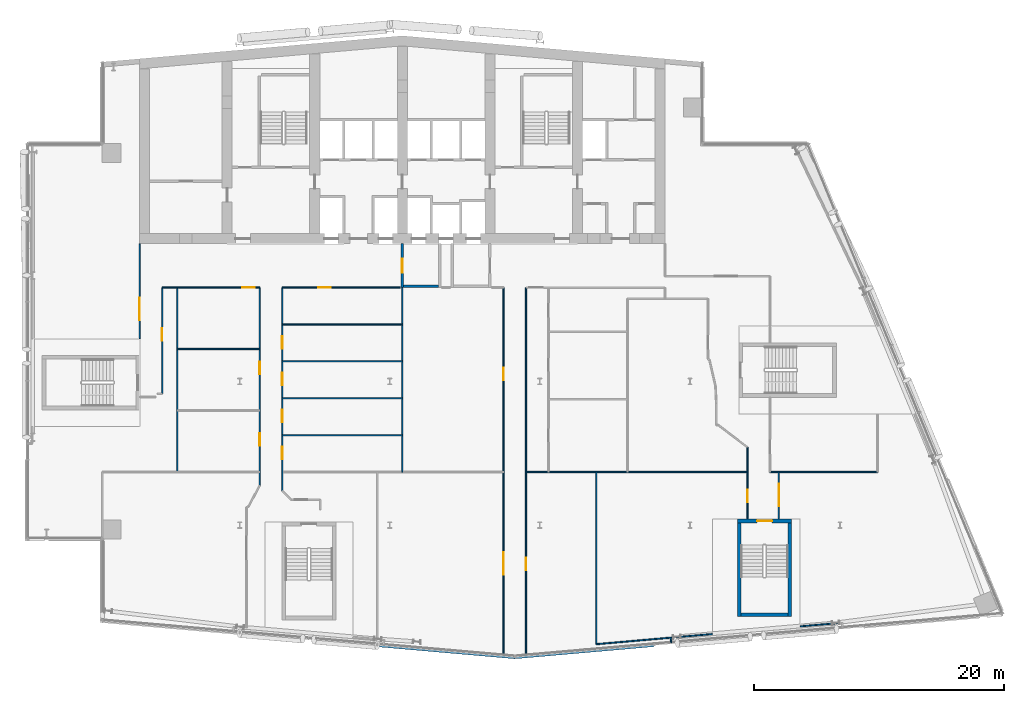
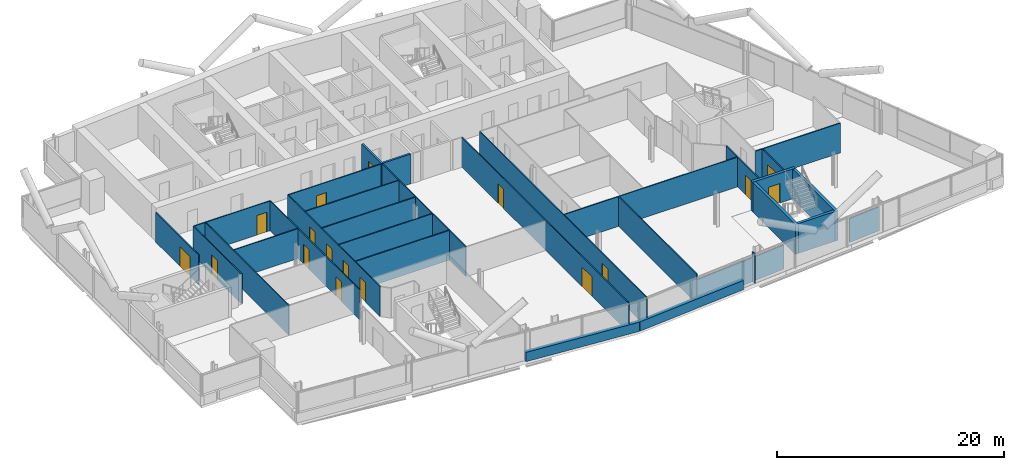
# One storey, part 15 of 26: 31 walls, 17 doors, 17 openings.
"""IFC4 building model written with IfcOpenShell, lengths in metres."""

from ifc_helpers import new_model, si_unit, direction, frame, frame_2d, origin, place, context, subcontext, project, spatial, rectangle, extrude, material, layer, layer_set, type_object, element, fill, save


model = new_model("IFC4")

# Units and contexts
model_context = context("Model", 3, precision=1e-05, world=origin(), true_north=direction((0.0, 1.0)))
body_context = subcontext(model_context, "Body", "Model", "MODEL_VIEW")
ifc_project = project(units=[si_unit("LENGTHUNIT", "METRE"), si_unit("AREAUNIT", "SQUARE_METRE"), si_unit("VOLUMEUNIT", "CUBIC_METRE"), si_unit("PLANEANGLEUNIT", "RADIAN"), si_unit("MASSUNIT", "GRAM", prefix="KILO")], contexts=[model_context])

# Site, building, storey
site_placement = place(None, origin())
site = spatial("IfcSite", under=ifc_project, at=site_placement, CompositionType="ELEMENT")
building_placement = place(site_placement, origin())
building = spatial("IfcBuilding", under=site, at=building_placement, Name="Wharfspan Tower", CompositionType="ELEMENT")
storey_placement = place(building_placement, frame((0.0, 0.0, 173.5)))
storey = spatial("IfcBuildingStorey", under=building, at=storey_placement, Name="L42", CompositionType="ELEMENT", Elevation=173.5)

# Wall, opening, door
ifc_material_1 = material(Name="Gypsum board on steel studs", Category="steel")
ifc_layer_1 = layer(ifc_material_1, 0.100098)
ifc_layer_set_1 = layer_set([ifc_layer_1], Name="Gypsum board on steel studs")
wall_type_1 = type_object("IfcWallType", Name="Compartment wall 100 EI 60", PredefinedType="PARTITIONING", material=ifc_layer_set_1)
wall_1_placement = place(storey_placement, frame((16.0, 26.419922, 0.0), z_axis=(0.0, 0.0, 1.0), x_axis=(0.0, 1.0, 0.0)))
wall_1 = element("IfcWall", 1, at=wall_1_placement, inside=storey, type_object=wall_type_1, Name="Partition L42.w006", PredefinedType="PARTITIONING", context=body_context, shape_type="SweptSolid", body=[
    extrude(rectangle(XDim=7.560059, YDim=0.100098, at=frame_2d((3.780029, 0.0))), origin(), (0.0, 0.0, 1.0), 3.199951),
])
opening_1_placement = place(wall_1_placement, frame((1.47998, 0.0, 0.0)))
opening_1 = element("IfcOpeningElement", 2, at=opening_1_placement, cuts=wall_1, Name="Opening C3-20", PredefinedType="OPENING", context=body_context, shape_type="SweptSolid", body=[
    extrude(rectangle(XDim=1.800049, YDim=2.100098, at=frame_2d((0.899902, 1.050049))), frame((0.0, 0.060059, 0.0), z_axis=(0.0, -1.0, 0.0), x_axis=(1.0, 0.0, 0.0)), (0.0, 0.0, 1.0), 0.120117),
])
ifc_material_2 = material(Name="Fire-rated timber door leaf in steel frame", Category="steel")
door_type_1 = type_object("IfcDoorType", Name="Door 1800 FD30S Double", OperationType="DOUBLE_DOOR_SINGLE_SWING", PredefinedType="DOOR", material=ifc_material_2)
door_1_placement = place(opening_1_placement, origin())
door_1 = element("IfcDoor", 3, at=door_1_placement, inside=storey, type_object=door_type_1, Name="Door C3-20", OperationType="DOUBLE_DOOR_SINGLE_SWING", OverallHeight=2.100098, OverallWidth=1.800049, PredefinedType="DOOR", context=body_context, shape_type="SweptSolid", body=[
    extrude(rectangle(XDim=1.800049, YDim=2.100098, at=frame_2d((0.899902, 1.050049))), frame((0.0, 0.024902, 0.0), z_axis=(0.0, -1.0, 0.0), x_axis=(1.0, 0.0, 0.0)), (0.0, 0.0, 1.0), 0.050049),
])
fill(opening_1, door_1)

wall_2_placement = place(storey_placement, frame((17.800049, 22.0, 0.0), z_axis=(0.0, 0.0, 1.0), x_axis=(0.0, 1.0, 0.0)))
wall_2 = element("IfcWall", 4, at=wall_2_placement, inside=storey, type_object=wall_type_1, Name="Partition L42.w009", PredefinedType="PARTITIONING", context=body_context, shape_type="SweptSolid", body=[
    extrude(rectangle(XDim=8.5, YDim=0.100098, at=frame_2d((4.25, 0.0))), origin(), (0.0, 0.0, 1.0), 3.199951),
])
opening_2_placement = place(wall_2_placement, frame((4.231201, 0.0, 0.0)))
opening_2 = element("IfcOpeningElement", 5, at=opening_2_placement, cuts=wall_2, Name="Opening C3-18", PredefinedType="OPENING", context=body_context, shape_type="SweptSolid", body=[
    extrude(rectangle(XDim=1.0, YDim=2.100098, at=frame_2d((0.5, 1.050049))), frame((0.0, 0.060059, 0.0), z_axis=(0.0, -1.0, 0.0), x_axis=(1.0, 0.0, 0.0)), (0.0, 0.0, 1.0), 0.120117),
])
door_type_2 = type_object("IfcDoorType", Name="Door 1000 FD30S Right", OperationType="SINGLE_SWING_RIGHT", PredefinedType="DOOR", material=ifc_material_2)
door_2_placement = place(opening_2_placement, origin())
door_2 = element("IfcDoor", 6, at=door_2_placement, inside=storey, type_object=door_type_2, Name="Door C3-18", OperationType="SINGLE_SWING_RIGHT", OverallHeight=2.100098, OverallWidth=1.0, PredefinedType="DOOR", context=body_context, shape_type="SweptSolid", body=[
    extrude(rectangle(XDim=1.0, YDim=2.100098, at=frame_2d((0.5, 1.050049))), frame((0.0, 0.024902, 0.0), z_axis=(0.0, -1.0, 0.0), x_axis=(1.0, 0.0, 0.0)), (0.0, 0.0, 1.0), 0.050049),
])
fill(opening_2, door_2)

wall_3_placement = place(storey_placement, frame((17.800049, 30.5, 0.0), z_axis=(0.0, 0.0, 1.0), x_axis=(1.0, 0.0, 0.0)))
wall_3 = element("IfcWall", 7, at=wall_3_placement, inside=storey, type_object=wall_type_1, Name="Partition L42.w010", PredefinedType="PARTITIONING", context=body_context, shape_type="SweptSolid", body=[
    extrude(rectangle(XDim=7.800049, YDim=0.100098, at=frame_2d((3.899902, 0.0))), origin(), (0.0, 0.0, 1.0), 3.199951),
])
opening_3_placement = place(wall_3_placement, frame((6.419922, 0.0, 0.0)))
opening_3 = element("IfcOpeningElement", 8, at=opening_3_placement, cuts=wall_3, Name="Opening C3-22", PredefinedType="OPENING", context=body_context, shape_type="SweptSolid", body=[
    extrude(rectangle(XDim=1.0, YDim=2.100098, at=frame_2d((0.5, 1.050049))), frame((0.0, 0.060059, 0.0), z_axis=(0.0, -1.0, 0.0), x_axis=(1.0, 0.0, 0.0)), (0.0, 0.0, 1.0), 0.120117),
])
door_3_placement = place(opening_3_placement, origin())
door_3 = element("IfcDoor", 9, at=door_3_placement, inside=storey, type_object=door_type_2, Name="Door C3-22", OperationType="SINGLE_SWING_RIGHT", OverallHeight=2.100098, OverallWidth=1.0, PredefinedType="DOOR", context=body_context, shape_type="SweptSolid", body=[
    extrude(rectangle(XDim=1.0, YDim=2.100098, at=frame_2d((0.5, 1.050049))), frame((0.0, 0.024902, 0.0), z_axis=(0.0, -1.0, 0.0), x_axis=(1.0, 0.0, 0.0)), (0.0, 0.0, 1.0), 0.050049),
])
fill(opening_3, door_3)

# Walls
wall_4_placement = place(storey_placement, frame((19.0, 15.745117, 0.0), z_axis=(0.0, 0.0, 1.0), x_axis=(0.0, 1.0, 0.0)))
element("IfcWall", 10, at=wall_4_placement, inside=storey, type_object=wall_type_1, Name="Partition L42.w011", PredefinedType="PARTITIONING", context=body_context, shape_type="SweptSolid", body=[
    extrude(rectangle(XDim=14.754883, YDim=0.100098, at=frame_2d((7.377441, 0.0))), origin(), (0.0, 0.0, 1.0), 3.199951),
])
wall_5_placement = place(storey_placement, frame((19.0, 25.580078, 0.0), z_axis=(0.0, 0.0, 1.0), x_axis=(1.0, 0.0, 0.0)))
element("IfcWall", 11, at=wall_5_placement, inside=storey, type_object=wall_type_1, Name="Partition L42.w013", PredefinedType="PARTITIONING", context=body_context, shape_type="SweptSolid", body=[
    extrude(rectangle(XDim=6.600098, YDim=0.100098, at=frame_2d((3.300049, 0.0))), origin(), (0.0, 0.0, 1.0), 3.199951),
])

# Wall, openings, doors
wall_6_placement = place(storey_placement, frame((25.600098, 14.669922, 0.0), z_axis=(0.0, 0.0, 1.0), x_axis=(0.0, 1.0, 0.0)))
wall_6 = element("IfcWall", 12, at=wall_6_placement, inside=storey, type_object=wall_type_1, Name="Partition L42.w018", PredefinedType="PARTITIONING", context=body_context, shape_type="SweptSolid", body=[
    extrude(rectangle(XDim=15.830078, YDim=0.100098, at=frame_2d((7.915039, 0.0))), origin(), (0.0, 0.0, 1.0), 3.199951),
])
opening_4_placement = place(wall_6_placement, frame((3.175049, 0.0, 0.0)))
opening_4 = element("IfcOpeningElement", 13, at=opening_4_placement, cuts=wall_6, Name="Opening C3-09", PredefinedType="OPENING", context=body_context, shape_type="SweptSolid", body=[
    extrude(rectangle(XDim=1.0, YDim=2.100098, at=frame_2d((0.5, 1.050049))), frame((0.0, 0.060059, 0.0), z_axis=(0.0, -1.0, 0.0), x_axis=(1.0, 0.0, 0.0)), (0.0, 0.0, 1.0), 0.120117),
])
opening_5_placement = place(wall_6_placement, frame((8.889893, 0.0, 0.0)))
opening_5 = element("IfcOpeningElement", 14, at=opening_5_placement, cuts=wall_6, Name="Opening C3-14", PredefinedType="OPENING", context=body_context, shape_type="SweptSolid", body=[
    extrude(rectangle(XDim=1.0, YDim=2.100098, at=frame_2d((0.5, 1.050049))), frame((0.0, 0.060059, 0.0), z_axis=(0.0, -1.0, 0.0), x_axis=(1.0, 0.0, 0.0)), (0.0, 0.0, 1.0), 0.120117),
])
door_type_3 = type_object("IfcDoorType", Name="Door 1000 FD30S Left", OperationType="SINGLE_SWING_LEFT", PredefinedType="DOOR", material=ifc_material_2)
door_4_placement = place(opening_4_placement, origin())
door_4 = element("IfcDoor", 15, at=door_4_placement, inside=storey, type_object=door_type_3, Name="Door C3-09", OperationType="SINGLE_SWING_LEFT", OverallHeight=2.100098, OverallWidth=1.0, PredefinedType="DOOR", context=body_context, shape_type="SweptSolid", body=[
    extrude(rectangle(XDim=1.0, YDim=2.100098, at=frame_2d((0.5, 1.050049))), frame((0.0, 0.024902, 0.0), z_axis=(0.0, -1.0, 0.0), x_axis=(1.0, 0.0, 0.0)), (0.0, 0.0, 1.0), 0.050049),
])
fill(opening_4, door_4)
door_5_placement = place(opening_5_placement, origin())
door_5 = element("IfcDoor", 16, at=door_5_placement, inside=storey, type_object=door_type_2, Name="Door C3-14", OperationType="SINGLE_SWING_RIGHT", OverallHeight=2.100098, OverallWidth=1.0, PredefinedType="DOOR", context=body_context, shape_type="SweptSolid", body=[
    extrude(rectangle(XDim=1.0, YDim=2.100098, at=frame_2d((0.5, 1.050049))), frame((0.0, 0.024902, 0.0), z_axis=(0.0, -1.0, 0.0), x_axis=(1.0, 0.0, 0.0)), (0.0, 0.0, 1.0), 0.050049),
])
fill(opening_5, door_5)

wall_7_placement = place(storey_placement, frame((27.399902, 14.23999, 0.0), z_axis=(0.0, 0.0, 1.0), x_axis=(0.0, 1.0, 0.0)))
wall_7 = element("IfcWall", 17, at=wall_7_placement, inside=storey, type_object=wall_type_1, Name="Partition L42.w019", PredefinedType="PARTITIONING", context=body_context, shape_type="SweptSolid", body=[
    extrude(rectangle(XDim=16.26001, YDim=0.100098, at=frame_2d((8.129883, 0.0))), origin(), (0.0, 0.0, 1.0), 3.199951),
])
opening_6_placement = place(wall_7_placement, frame((2.524902, 0.0, 0.0)))
opening_6 = element("IfcOpeningElement", 18, at=opening_6_placement, cuts=wall_7, Name="Opening C3-07", PredefinedType="OPENING", context=body_context, shape_type="SweptSolid", body=[
    extrude(rectangle(XDim=1.0, YDim=2.100098, at=frame_2d((0.5, 1.050049))), frame((0.0, 0.060059, 0.0), z_axis=(0.0, -1.0, 0.0), x_axis=(1.0, 0.0, 0.0)), (0.0, 0.0, 1.0), 0.120117),
])
opening_7_placement = place(wall_7_placement, frame((5.475098, 0.0, 0.0)))
opening_7 = element("IfcOpeningElement", 19, at=opening_7_placement, cuts=wall_7, Name="Opening C3-11", PredefinedType="OPENING", context=body_context, shape_type="SweptSolid", body=[
    extrude(rectangle(XDim=1.0, YDim=2.100098, at=frame_2d((0.5, 1.050049))), frame((0.0, 0.060059, 0.0), z_axis=(0.0, -1.0, 0.0), x_axis=(1.0, 0.0, 0.0)), (0.0, 0.0, 1.0), 0.120117),
])
opening_8_placement = place(wall_7_placement, frame((8.425049, 0.0, 0.0)))
opening_8 = element("IfcOpeningElement", 20, at=opening_8_placement, cuts=wall_7, Name="Opening C3-12", PredefinedType="OPENING", context=body_context, shape_type="SweptSolid", body=[
    extrude(rectangle(XDim=1.0, YDim=2.100098, at=frame_2d((0.5, 1.050049))), frame((0.0, 0.060059, 0.0), z_axis=(0.0, -1.0, 0.0), x_axis=(1.0, 0.0, 0.0)), (0.0, 0.0, 1.0), 0.120117),
])
opening_9_placement = place(wall_7_placement, frame((11.379883, 0.0, 0.0)))
opening_9 = element("IfcOpeningElement", 21, at=opening_9_placement, cuts=wall_7, Name="Opening C3-16", PredefinedType="OPENING", context=body_context, shape_type="SweptSolid", body=[
    extrude(rectangle(XDim=1.0, YDim=2.100098, at=frame_2d((0.5, 1.050049))), frame((0.0, 0.060059, 0.0), z_axis=(0.0, -1.0, 0.0), x_axis=(1.0, 0.0, 0.0)), (0.0, 0.0, 1.0), 0.120117),
])
door_6_placement = place(opening_6_placement, origin())
door_6 = element("IfcDoor", 22, at=door_6_placement, inside=storey, type_object=door_type_3, Name="Door C3-07", OperationType="SINGLE_SWING_LEFT", OverallHeight=2.100098, OverallWidth=1.0, PredefinedType="DOOR", context=body_context, shape_type="SweptSolid", body=[
    extrude(rectangle(XDim=1.0, YDim=2.100098, at=frame_2d((0.5, 1.050049))), frame((0.0, 0.024902, 0.0), z_axis=(0.0, -1.0, 0.0), x_axis=(1.0, 0.0, 0.0)), (0.0, 0.0, 1.0), 0.050049),
])
fill(opening_6, door_6)
door_7_placement = place(opening_7_placement, origin())
door_7 = element("IfcDoor", 23, at=door_7_placement, inside=storey, type_object=door_type_3, Name="Door C3-11", OperationType="SINGLE_SWING_LEFT", OverallHeight=2.100098, OverallWidth=1.0, PredefinedType="DOOR", context=body_context, shape_type="SweptSolid", body=[
    extrude(rectangle(XDim=1.0, YDim=2.100098, at=frame_2d((0.5, 1.050049))), frame((0.0, 0.024902, 0.0), z_axis=(0.0, -1.0, 0.0), x_axis=(1.0, 0.0, 0.0)), (0.0, 0.0, 1.0), 0.050049),
])
fill(opening_7, door_7)
door_8_placement = place(opening_8_placement, origin())
door_8 = element("IfcDoor", 24, at=door_8_placement, inside=storey, type_object=door_type_2, Name="Door C3-12", OperationType="SINGLE_SWING_RIGHT", OverallHeight=2.100098, OverallWidth=1.0, PredefinedType="DOOR", context=body_context, shape_type="SweptSolid", body=[
    extrude(rectangle(XDim=1.0, YDim=2.100098, at=frame_2d((0.5, 1.050049))), frame((0.0, 0.024902, 0.0), z_axis=(0.0, -1.0, 0.0), x_axis=(1.0, 0.0, 0.0)), (0.0, 0.0, 1.0), 0.050049),
])
fill(opening_8, door_8)
door_9_placement = place(opening_9_placement, origin())
door_9 = element("IfcDoor", 25, at=door_9_placement, inside=storey, type_object=door_type_2, Name="Door C3-16", OperationType="SINGLE_SWING_RIGHT", OverallHeight=2.100098, OverallWidth=1.0, PredefinedType="DOOR", context=body_context, shape_type="SweptSolid", body=[
    extrude(rectangle(XDim=1.0, YDim=2.100098, at=frame_2d((0.5, 1.050049))), frame((0.0, 0.024902, 0.0), z_axis=(0.0, -1.0, 0.0), x_axis=(1.0, 0.0, 0.0)), (0.0, 0.0, 1.0), 0.050049),
])
fill(opening_9, door_9)

# Walls
for number, where, z_axis, x_axis, name in (
    (26, (27.399902, 18.695068, 0.0), (0.0, 0.0, 1.0), (1.0, 0.0, 0.0), "Partition L42.w021"),
    (27, (27.399902, 21.64502, 0.0), (0.0, 0.0, 1.0), (1.0, 0.0, 0.0), "Partition L42.w022"),
    (28, (27.399902, 24.600098, 0.0), (0.0, 0.0, 1.0), (1.0, 0.0, 0.0), "Partition L42.w023"),
    (29, (27.399902, 27.550049, 0.0), (0.0, 0.0, 1.0), (1.0, 0.0, 0.0), "Partition L42.w024"),
):
    element("IfcWall", number, at=place(storey_placement, frame(where, z_axis=z_axis, x_axis=x_axis)), inside=storey, type_object=wall_type_1, Name=name, PredefinedType="PARTITIONING", context=body_context, shape_type="SweptSolid", body=[
        extrude(rectangle(XDim=9.600098, YDim=0.100098, at=frame_2d((4.800049, 0.0))), origin(), (0.0, 0.0, 1.0), 3.199951),
    ])

# Wall, opening, door
wall_8_placement = place(storey_placement, frame((27.399902, 30.5, 0.0), z_axis=(0.0, 0.0, 1.0), x_axis=(1.0, 0.0, 0.0)))
wall_8 = element("IfcWall", 30, at=wall_8_placement, inside=storey, type_object=wall_type_1, Name="Partition L42.w025", PredefinedType="PARTITIONING", context=body_context, shape_type="SweptSolid", body=[
    extrude(rectangle(XDim=9.450195, YDim=0.100098, at=frame_2d((4.725098, 0.0))), origin(), (0.0, 0.0, 1.0), 3.199951),
])
opening_10_placement = place(wall_8_placement, frame((2.870117, 0.0, 0.0)))
opening_10 = element("IfcOpeningElement", 31, at=opening_10_placement, cuts=wall_8, Name="Opening C3-23", PredefinedType="OPENING", context=body_context, shape_type="SweptSolid", body=[
    extrude(rectangle(XDim=1.0, YDim=2.100098, at=frame_2d((0.5, 1.050049))), frame((0.0, 0.060059, 0.0), z_axis=(0.0, -1.0, 0.0), x_axis=(1.0, 0.0, 0.0)), (0.0, 0.0, 1.0), 0.120117),
])
door_10_placement = place(opening_10_placement, origin())
door_10 = element("IfcDoor", 32, at=door_10_placement, inside=storey, type_object=door_type_3, Name="Door C3-23", OperationType="SINGLE_SWING_LEFT", OverallHeight=2.100098, OverallWidth=1.0, PredefinedType="DOOR", context=body_context, shape_type="SweptSolid", body=[
    extrude(rectangle(XDim=1.0, YDim=2.100098, at=frame_2d((0.5, 1.050049))), frame((0.0, 0.024902, 0.0), z_axis=(0.0, -1.0, 0.0), x_axis=(1.0, 0.0, 0.0)), (0.0, 0.0, 1.0), 0.050049),
])
fill(opening_10, door_10)

# Wall
wall_9_placement = place(storey_placement, frame((37.0, 15.745117, 0.0), z_axis=(0.0, 0.0, 1.0), x_axis=(0.0, 1.0, 0.0)))
element("IfcWall", 33, at=wall_9_placement, inside=storey, type_object=wall_type_1, Name="Partition L42.w032", PredefinedType="PARTITIONING", context=body_context, shape_type="SweptSolid", body=[
    extrude(rectangle(XDim=14.754883, YDim=0.100098, at=frame_2d((7.377441, 0.0))), origin(), (0.0, 0.0, 1.0), 3.199951),
])

# Wall, openings, doors
wall_10_placement = place(storey_placement, frame((45.100098, 1.086914, 0.0), z_axis=(0.0, 0.0, 1.0), x_axis=(0.0, 1.0, 0.0)))
wall_10 = element("IfcWall", 34, at=wall_10_placement, inside=storey, type_object=wall_type_1, Name="Partition L42.w033", PredefinedType="PARTITIONING", context=body_context, shape_type="SweptSolid", body=[
    extrude(rectangle(XDim=29.413086, YDim=0.100098, at=frame_2d((14.706543, 0.0))), origin(), (0.0, 0.0, 1.0), 3.199951),
])
opening_11_placement = place(wall_10_placement, frame((6.438232, 0.0, 0.0)))
opening_11 = element("IfcOpeningElement", 35, at=opening_11_placement, cuts=wall_10, Name="Opening C3-02", PredefinedType="OPENING", context=body_context, shape_type="SweptSolid", body=[
    extrude(rectangle(XDim=1.800049, YDim=2.100098, at=frame_2d((0.899902, 1.050049))), frame((0.0, 0.060059, 0.0), z_axis=(0.0, -1.0, 0.0), x_axis=(1.0, 0.0, 0.0)), (0.0, 0.0, 1.0), 0.120117),
])
opening_12_placement = place(wall_10_placement, frame((21.993164, 0.0, 0.0)))
opening_12 = element("IfcOpeningElement", 36, at=opening_12_placement, cuts=wall_10, Name="Opening C3-13", PredefinedType="OPENING", context=body_context, shape_type="SweptSolid", body=[
    extrude(rectangle(XDim=1.0, YDim=2.100098, at=frame_2d((0.5, 1.050049))), frame((0.0, 0.060059, 0.0), z_axis=(0.0, -1.0, 0.0), x_axis=(1.0, 0.0, 0.0)), (0.0, 0.0, 1.0), 0.120117),
])
door_11_placement = place(opening_12_placement, origin())
door_11 = element("IfcDoor", 37, at=door_11_placement, inside=storey, type_object=door_type_2, Name="Door C3-13", OperationType="SINGLE_SWING_RIGHT", OverallHeight=2.100098, OverallWidth=1.0, PredefinedType="DOOR", context=body_context, shape_type="SweptSolid", body=[
    extrude(rectangle(XDim=1.0, YDim=2.100098, at=frame_2d((0.5, 1.050049))), frame((0.0, 0.024902, 0.0), z_axis=(0.0, -1.0, 0.0), x_axis=(1.0, 0.0, 0.0)), (0.0, 0.0, 1.0), 0.050049),
])
fill(opening_12, door_11)
door_12_placement = place(opening_11_placement, origin())
door_12 = element("IfcDoor", 38, at=door_12_placement, inside=storey, type_object=door_type_1, Name="Door C3-02", OperationType="DOUBLE_DOOR_SINGLE_SWING", OverallHeight=2.100098, OverallWidth=1.800049, PredefinedType="DOOR", context=body_context, shape_type="SweptSolid", body=[
    extrude(rectangle(XDim=1.800049, YDim=2.100098, at=frame_2d((0.899902, 1.050049))), frame((0.0, 0.024902, 0.0), z_axis=(0.0, -1.0, 0.0), x_axis=(1.0, 0.0, 0.0)), (0.0, 0.0, 1.0), 0.050049),
])
fill(opening_11, door_12)

# Wall, opening, door
wall_11_placement = place(storey_placement, frame((46.899902, 1.086914, 0.0), z_axis=(0.0, 0.0, 1.0), x_axis=(0.0, 1.0, 0.0)))
wall_11 = element("IfcWall", 39, at=wall_11_placement, inside=storey, type_object=wall_type_1, Name="Partition L42.w034", PredefinedType="PARTITIONING", context=body_context, shape_type="SweptSolid", body=[
    extrude(rectangle(XDim=29.403076, YDim=0.100098, at=frame_2d((14.70166, 0.0))), origin(), (0.0, 0.0, 1.0), 3.199951),
])
opening_13_placement = place(wall_11_placement, frame((6.797852, 0.0, 0.0)))
opening_13 = element("IfcOpeningElement", 40, at=opening_13_placement, cuts=wall_11, Name="Opening C3-01", PredefinedType="OPENING", context=body_context, shape_type="SweptSolid", body=[
    extrude(rectangle(XDim=1.0, YDim=2.100098, at=frame_2d((0.5, 1.050049))), frame((0.0, 0.060059, 0.0), z_axis=(0.0, -1.0, 0.0), x_axis=(1.0, 0.0, 0.0)), (0.0, 0.0, 1.0), 0.120117),
])
door_13_placement = place(opening_13_placement, origin())
door_13 = element("IfcDoor", 41, at=door_13_placement, inside=storey, type_object=door_type_3, Name="Door C3-01", OperationType="SINGLE_SWING_LEFT", OverallHeight=2.100098, OverallWidth=1.0, PredefinedType="DOOR", context=body_context, shape_type="SweptSolid", body=[
    extrude(rectangle(XDim=1.0, YDim=2.100098, at=frame_2d((0.5, 1.050049))), frame((0.0, 0.024902, 0.0), z_axis=(0.0, -1.0, 0.0), x_axis=(1.0, 0.0, 0.0)), (0.0, 0.0, 1.0), 0.050049),
])
fill(opening_13, door_13)

# Wall
wall_12_placement = place(storey_placement, frame((46.909912, 15.745117, 0.0), z_axis=(0.0, 0.0, 1.0), x_axis=(1.0, 0.0, 0.0)))
element("IfcWall", 42, at=wall_12_placement, inside=storey, type_object=wall_type_1, Name="Partition L42.w035", PredefinedType="PARTITIONING", context=body_context, shape_type="SweptSolid", body=[
    extrude(rectangle(XDim=17.690186, YDim=0.100098, at=frame_2d((8.845215, 0.0))), origin(), (0.0, 0.0, 1.0), 3.199951),
])

# Wall, opening, door
wall_13_placement = place(storey_placement, frame((64.600098, 12.003662, 0.0), z_axis=(0.0, 0.0, 1.0), x_axis=(0.0, 1.0, 0.0)))
wall_13 = element("IfcWall", 43, at=wall_13_placement, inside=storey, type_object=wall_type_1, Name="Partition L42.w055", PredefinedType="PARTITIONING", context=body_context, shape_type="SweptSolid", body=[
    extrude(rectangle(XDim=5.716309, YDim=0.100098, at=frame_2d((2.858154, 0.0))), origin(), (0.0, 0.0, 1.0), 3.199951),
])
opening_14_placement = place(wall_13_placement, frame((1.321289, 0.0, 0.0)))
opening_14 = element("IfcOpeningElement", 44, at=opening_14_placement, cuts=wall_13, Name="Opening C3-05", PredefinedType="OPENING", context=body_context, shape_type="SweptSolid", body=[
    extrude(rectangle(XDim=1.0, YDim=2.100098, at=frame_2d((0.5, 1.050049))), frame((0.0, 0.060059, 0.0), z_axis=(0.0, -1.0, 0.0), x_axis=(1.0, 0.0, 0.0)), (0.0, 0.0, 1.0), 0.120117),
])
door_14_placement = place(opening_14_placement, origin())
door_14 = element("IfcDoor", 45, at=door_14_placement, inside=storey, type_object=door_type_3, Name="Door C3-05", OperationType="SINGLE_SWING_LEFT", OverallHeight=2.100098, OverallWidth=1.0, PredefinedType="DOOR", context=body_context, shape_type="SweptSolid", body=[
    extrude(rectangle(XDim=1.0, YDim=2.100098, at=frame_2d((0.5, 1.050049))), frame((0.0, 0.024902, 0.0), z_axis=(0.0, -1.0, 0.0), x_axis=(1.0, 0.0, 0.0)), (0.0, 0.0, 1.0), 0.050049),
])
fill(opening_14, door_14)

# Wall
wall_14_placement = place(storey_placement, frame((66.399902, 15.745117, 0.0), z_axis=(0.0, 0.0, 1.0), x_axis=(1.0, 0.0, 0.0)))
element("IfcWall", 46, at=wall_14_placement, inside=storey, type_object=wall_type_1, Name="Partition L42.w058", PredefinedType="PARTITIONING", context=body_context, shape_type="SweptSolid", body=[
    extrude(rectangle(XDim=8.600098, YDim=0.100098, at=frame_2d((4.300049, 0.0))), origin(), (0.0, 0.0, 1.0), 3.199951),
])

# Wall, opening, door
wall_15_placement = place(storey_placement, frame((67.110107, 12.003662, 0.0), z_axis=(0.0, 0.0, 1.0), x_axis=(0.0, 1.0, 0.0)))
wall_15 = element("IfcWall", 47, at=wall_15_placement, inside=storey, type_object=wall_type_1, Name="Partition L42.w060", PredefinedType="PARTITIONING", context=body_context, shape_type="SweptSolid", body=[
    extrude(rectangle(XDim=3.741455, YDim=0.100098, at=frame_2d((1.870605, 0.0))), origin(), (0.0, 0.0, 1.0), 3.199951),
])
opening_15_placement = place(wall_15_placement, frame((1.001221, 0.0, 0.0)))
opening_15 = element("IfcOpeningElement", 48, at=opening_15_placement, cuts=wall_15, Name="Opening C3-06", PredefinedType="OPENING", context=body_context, shape_type="SweptSolid", body=[
    extrude(rectangle(XDim=1.800049, YDim=2.100098, at=frame_2d((0.899902, 1.050049))), frame((0.0, 0.060059, 0.0), z_axis=(0.0, -1.0, 0.0), x_axis=(1.0, 0.0, 0.0)), (0.0, 0.0, 1.0), 0.120117),
])
door_15_placement = place(opening_15_placement, origin())
door_15 = element("IfcDoor", 49, at=door_15_placement, inside=storey, type_object=door_type_1, Name="Door C3-06", OperationType="DOUBLE_DOOR_SINGLE_SWING", OverallHeight=2.100098, OverallWidth=1.800049, PredefinedType="DOOR", context=body_context, shape_type="SweptSolid", body=[
    extrude(rectangle(XDim=1.800049, YDim=2.100098, at=frame_2d((0.899902, 1.050049))), frame((0.0, 0.024902, 0.0), z_axis=(0.0, -1.0, 0.0), x_axis=(1.0, 0.0, 0.0)), (0.0, 0.0, 1.0), 0.050049),
])
fill(opening_15, door_15)

ifc_material_3 = material(Name="Concrete C30/37", Category="concrete")
ifc_layer_2 = layer(ifc_material_3, 0.199951)
ifc_layer_set_2 = layer_set([ifc_layer_2], Name="Concrete C30/37")
wall_type_2 = type_object("IfcWallType", Name="Lobby wall 200", PredefinedType="PARTITIONING", material=ifc_layer_set_2)
wall_16_placement = place(storey_placement, frame((37.0, 30.5, 0.0), z_axis=(0.0, 0.0, 1.0), x_axis=(0.0, 1.0, 0.0)))
wall_16 = element("IfcWall", 50, at=wall_16_placement, inside=storey, type_object=wall_type_2, Name="sw:L42:FLFF1W", PredefinedType="PARTITIONING", context=body_context, shape_type="SweptSolid", body=[
    extrude(rectangle(XDim=3.5, YDim=0.199951, at=frame_2d((1.75, 0.0))), origin(), (0.0, 0.0, 1.0), 3.199951),
])
opening_16_placement = place(wall_16_placement, frame((1.199951, 0.0, 0.0)))
opening_16 = element("IfcOpeningElement", 51, at=opening_16_placement, cuts=wall_16, Name="Opening FL.FF1.L42", PredefinedType="OPENING", context=body_context, shape_type="SweptSolid", body=[
    extrude(rectangle(XDim=1.100098, YDim=2.100098, at=frame_2d((0.550049, 1.050049))), frame((0.0, 0.109863, 0.0), z_axis=(0.0, -1.0, 0.0), x_axis=(1.0, 0.0, 0.0)), (0.0, 0.0, 1.0), 0.219971),
])
ifc_material_4 = material(Name="Steel door leaf", Category="steel")
door_type_4 = type_object("IfcDoorType", Name="Firefighting lobby door 1100x2100", OperationType="SINGLE_SWING_LEFT", PredefinedType="DOOR", material=ifc_material_4)
door_16_placement = place(opening_16_placement, origin())
door_16 = element("IfcDoor", 52, at=door_16_placement, inside=storey, type_object=door_type_4, Name="fd:L42:FF1", OperationType="SINGLE_SWING_LEFT", OverallHeight=2.100098, OverallWidth=1.100098, PredefinedType="DOOR", context=body_context, shape_type="SweptSolid", body=[
    extrude(rectangle(XDim=1.100098, YDim=2.100098, at=frame_2d((0.550049, 1.050049))), frame((0.0, 0.024902, 0.0), z_axis=(0.0, -1.0, 0.0), x_axis=(1.0, 0.0, 0.0)), (0.0, 0.0, 1.0), 0.050049),
])
fill(opening_16, door_16)

# Walls
wall_17_placement = place(storey_placement, frame((37.100098, 30.600098, 0.0), z_axis=(0.0, 0.0, 1.0), x_axis=(1.0, 0.0, 0.0)))
element("IfcWall", 53, at=wall_17_placement, inside=storey, type_object=wall_type_2, Name="sw:L42:FLFF1F", PredefinedType="PARTITIONING", context=body_context, shape_type="SweptSolid", body=[
    extrude(rectangle(XDim=2.799805, YDim=0.199951, at=frame_2d((1.399902, 0.0))), origin(), (0.0, 0.0, 1.0), 3.199951),
])
ifc_layer_3 = layer(ifc_material_1, 0.100098)
ifc_layer_set_3 = layer_set([ifc_layer_3], Name="Gypsum board on steel studs")
wall_type_3 = type_object("IfcWallType", Name="Partition 100", PredefinedType="PARTITIONING", material=ifc_layer_set_3)
wall_18_placement = place(storey_placement, frame((52.5, 1.97998, 0.0), z_axis=(0.0, 0.0, 1.0), x_axis=(0.0, 1.0, 0.0)))
element("IfcWall", 54, at=wall_18_placement, inside=storey, type_object=wall_type_3, Name="Partition L42.w040", PredefinedType="PARTITIONING", context=body_context, shape_type="SweptSolid", body=[
    extrude(rectangle(XDim=13.765137, YDim=0.100098, at=frame_2d((6.882568, 0.0))), origin(), (0.0, 0.0, 1.0), 3.199951),
])
wall_19_placement = place(storey_placement, frame((52.5, 1.97998, 0.0), z_axis=(0.0, 0.0, 1.0), x_axis=(0.99622, 0.086844, 0.0)))
element("IfcWall", 55, at=wall_19_placement, inside=storey, type_object=wall_type_3, Name="Partition L42.w041", PredefinedType="PARTITIONING", context=body_context, shape_type="SweptSolid", body=[
    extrude(rectangle(XDim=9.327637, YDim=0.100098, at=frame_2d((4.663818, 0.0))), origin(), (0.0, 0.0, 1.0), 2.580078),
])
wall_20_placement = place(storey_placement, frame((58.498291, 2.101562, 0.0), z_axis=(0.0, 0.0, 1.0), x_axis=(-0.083045, 0.996542, 0.0)))
element("IfcWall", 56, at=wall_20_placement, inside=storey, type_object=wall_type_3, Name="Partition L42.w048", PredefinedType="PARTITIONING", context=body_context, shape_type="SweptSolid", body=[
    extrude(rectangle(XDim=0.399902, YDim=0.100098, at=frame_2d((0.199951, 0.0))), origin(), (0.0, 0.0, 1.0), 3.199951),
])
wall_21_placement = place(storey_placement, frame((68.831299, 3.406738, 0.0), z_axis=(0.0, 0.0, 1.0), x_axis=(0.996308, 0.085898, 0.0)))
element("IfcWall", 57, at=wall_21_placement, inside=storey, type_object=wall_type_3, Name="Partition L42.w061", PredefinedType="PARTITIONING", context=body_context, shape_type="SweptSolid", body=[
    extrude(rectangle(XDim=3.18042, YDim=0.100098, at=frame_2d((1.590332, 0.0))), origin(), (0.0, 0.0, 1.0), 2.580078),
])
ifc_material_5 = material(Name="Concrete C40/50", Category="concrete")
ifc_layer_4 = layer(ifc_material_5, 0.350098)
ifc_layer_set_4 = layer_set([ifc_layer_4], Name="Concrete C40/50")
wall_type_4 = type_object("IfcWallType", Name="SPANDREL EXPOSED CONCRETE 350", PredefinedType="SOLIDWALL", material=ifc_layer_set_4)
wall_22_placement = place(storey_placement, frame((35.029541, 1.942627, 0.0), z_axis=(0.0, 0.0, 1.0), x_axis=(0.996199, -0.08714, 0.0)))
element("IfcWall", 58, at=wall_22_placement, inside=storey, type_object=wall_type_4, Name="Spandrel upstand L42 S1 2", PredefinedType="SOLIDWALL", context=body_context, shape_type="SweptSolid", body=[
    extrude(rectangle(XDim=11.027588, YDim=0.350098, at=frame_2d((5.513672, 0.0))), origin(), (0.0, 0.0, 1.0), 1.0),
])
wall_23_placement = place(storey_placement, frame((46.04541, 0.986816, 0.0), z_axis=(0.0, 0.0, 1.0), x_axis=(0.996193, 0.087171, 0.0)))
element("IfcWall", 59, at=wall_23_placement, inside=storey, type_object=wall_type_4, Name="Spandrel upstand L42 S2 1", PredefinedType="SOLIDWALL", context=body_context, shape_type="SweptSolid", body=[
    extrude(rectangle(XDim=11.110352, YDim=0.350098, at=frame_2d((5.555176, 0.0))), origin(), (0.0, 0.0, 1.0), 1.0),
])

# Wall, opening, door
ifc_layer_5 = layer(ifc_material_5, 0.300049)
ifc_layer_set_5 = layer_set([ifc_layer_5], Name="Concrete C40/50")
wall_type_5 = type_object("IfcWallType", Name="Stair core wall 300", PredefinedType="SHEAR", material=ifc_layer_set_5)
wall_24_placement = place(storey_placement, frame((63.786377, 11.83374, 0.0), z_axis=(0.0, 0.0, 1.0), x_axis=(1.0, 0.0, 0.0)))
wall_24 = element("IfcWall", 60, at=wall_24_placement, inside=storey, type_object=wall_type_5, Name="ST5 stair enclosure wall L42", PredefinedType="SHEAR", context=body_context, shape_type="SweptSolid", body=[
    extrude(rectangle(XDim=4.350098, YDim=0.300049, at=frame_2d((2.175049, 0.0))), origin(), (0.0, 0.0, 1.0), 3.199951),
])
opening_17_placement = place(wall_24_placement, frame((1.574951, 0.0, 0.0)))
opening_17 = element("IfcOpeningElement", 61, at=opening_17_placement, cuts=wall_24, Name="Opening SD5.L42", PredefinedType="OPENING", context=body_context, shape_type="SweptSolid", body=[
    extrude(rectangle(XDim=1.199951, YDim=2.100098, at=frame_2d((0.600098, 1.050049))), frame((0.0, 0.159912, 0.0), z_axis=(0.0, -1.0, 0.0), x_axis=(1.0, 0.0, 0.0)), (0.0, 0.0, 1.0), 0.320068),
])
door_type_5 = type_object("IfcDoorType", Name="Stair door 1200x2100", OperationType="SINGLE_SWING_LEFT", PredefinedType="DOOR", material=ifc_material_4)
door_17_placement = place(opening_17_placement, origin())
door_17 = element("IfcDoor", 62, at=door_17_placement, inside=storey, type_object=door_type_5, Name="sd:L42:ST5z3", OperationType="SINGLE_SWING_RIGHT", OverallHeight=2.100098, OverallWidth=1.199951, PredefinedType="DOOR", context=body_context, shape_type="SweptSolid", body=[
    extrude(rectangle(XDim=1.199951, YDim=2.100098, at=frame_2d((0.600098, 1.050049))), frame((0.0, 0.024902, 0.0), z_axis=(0.0, -1.0, 0.0), x_axis=(1.0, 0.0, 0.0)), (0.0, 0.0, 1.0), 0.050049),
])
fill(opening_17, door_17)

# Walls
for number, where, z_axis, x_axis, name in (
    (63, (63.936279, 4.183594, 0.0), (0.0, 0.0, 1.0), (0.0, 1.0, 0.0), "ST5 stair enclosure wall L42"),
    (64, (67.986328, 4.183594, 0.0), (0.0, 0.0, 1.0), (0.0, 1.0, 0.0), "ST5 stair enclosure wall L42"),
):
    element("IfcWall", number, at=place(storey_placement, frame(where, z_axis=z_axis, x_axis=x_axis)), inside=storey, type_object=wall_type_5, Name=name, PredefinedType="SHEAR", context=body_context, shape_type="SweptSolid", body=[
        extrude(rectangle(XDim=7.5, YDim=0.300049, at=frame_2d((3.75, 0.0))), origin(), (0.0, 0.0, 1.0), 3.199951),
    ])
wall_25_placement = place(storey_placement, frame((64.086426, 4.33374, 0.0), z_axis=(0.0, 0.0, 1.0), x_axis=(1.0, 0.0, 0.0)))
element("IfcWall", 65, at=wall_25_placement, inside=storey, type_object=wall_type_5, Name="ST5 stair enclosure wall L42", PredefinedType="SHEAR", context=body_context, shape_type="SweptSolid", body=[
    extrude(rectangle(XDim=3.75, YDim=0.300049, at=frame_2d((1.875, 0.0))), origin(), (0.0, 0.0, 1.0), 3.199951),
])

save(model, "model.ifc")
